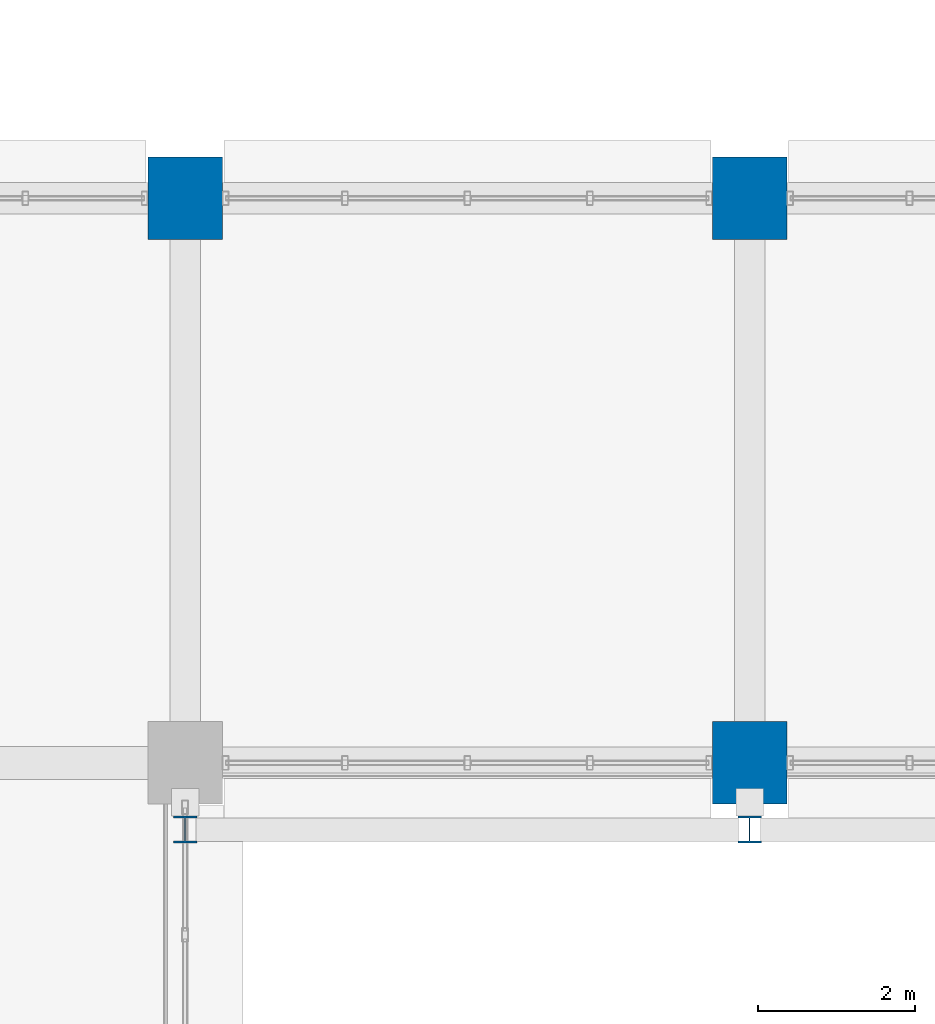
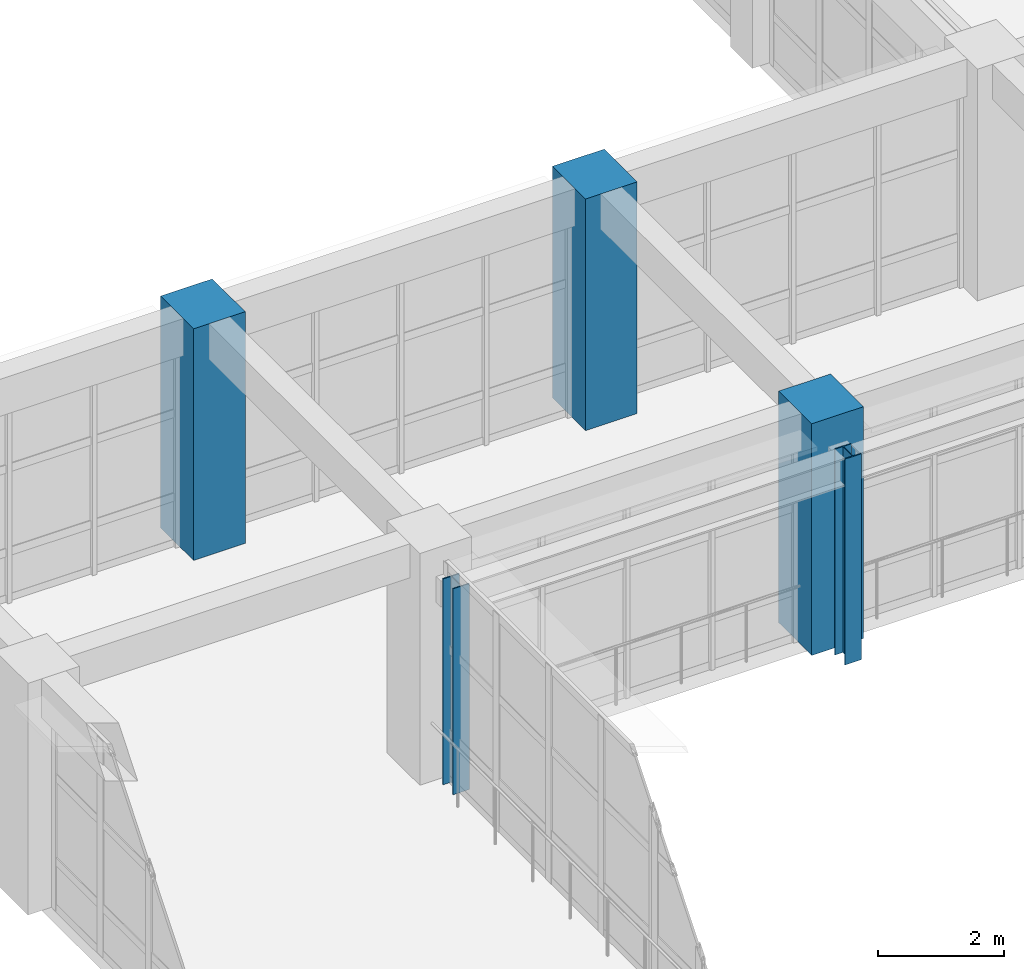
# One storey, part 4 of 171: 5 columns.
"""IFC4 building model written with IfcOpenShell, lengths in metres."""

from ifc_helpers import new_model, si_unit, direction, frame, origin, origin_2d, place, context, subcontext, project, spatial, rectangle, i_section, extrude, material, material_profile, profile_set, type_object, element, save


model = new_model("IFC4")

# Units and contexts
model_context = context("Model", 3, precision=1e-05, world=origin(), true_north=direction((0.0, 1.0)))
body_context = subcontext(model_context, "Body", "Model", "MODEL_VIEW")
ifc_project = project(units=[si_unit("LENGTHUNIT", "METRE"), si_unit("AREAUNIT", "SQUARE_METRE"), si_unit("VOLUMEUNIT", "CUBIC_METRE"), si_unit("PLANEANGLEUNIT", "RADIAN"), si_unit("MASSUNIT", "GRAM", prefix="KILO")], contexts=[model_context])

# Site, building, storey
site_placement = place(None, origin())
site = spatial("IfcSite", under=ifc_project, at=site_placement, CompositionType="ELEMENT")
building_placement = place(site_placement, origin())
building = spatial("IfcBuilding", under=site, at=building_placement, Name="Thalmaran Polytechnic", CompositionType="ELEMENT")
storey_placement = place(building_placement, frame((0.0, 0.0, 5.39990234375)))
storey = spatial("IfcBuildingStorey", under=building, at=storey_placement, Name="L01", CompositionType="ELEMENT", Elevation=5.39990234375)

# Columns
ifc_material_1 = material(Name="Steel S355", Category="steel")
ifc_material_profile_1 = material_profile(ifc_material_1, i_section(OverallWidth=0.300048828125, OverallDepth=0.340087890625, WebThickness=0.011962890625, FlangeThickness=0.021484375, at=origin_2d()), Name="HEB 340")
ifc_profile_set_1 = profile_set([ifc_material_profile_1], Name="Steel S355")
column_type_1 = type_object("IfcColumnType", Name="COL-SC1", PredefinedType="COLUMN", material=ifc_profile_set_1)
for number, where, z_axis, x_axis, name in (
    (1, (115.199951171875, 49.550048828125, 0.0), (0.0, 0.0, 1.0), (1.0, 0.0, 0.0), "Workshop Crane Runway Column L01 (16,7)"),
    (2, (122.39990234375, 49.550048828125, 0.0), (0.0, 0.0, 1.0), (1.0, 0.0, 0.0), "Workshop Crane Runway Column L01 (17,7)"),
):
    element("IfcColumn", number, at=place(storey_placement, frame(where, z_axis=z_axis, x_axis=x_axis)), inside=storey, type_object=column_type_1, Name=name, PredefinedType="COLUMN", context=body_context, shape_type="SweptSolid", body=[
        extrude(i_section(OverallWidth=0.300048828125, OverallDepth=0.340087890625, WebThickness=0.011962890625, FlangeThickness=0.021484375, at=origin_2d()), origin(), (0.0, 0.0, 1.0), 4.0),
    ])
ifc_material_2 = material(Name="Concrete C50/60", Category="concrete")
ifc_material_profile_2 = material_profile(ifc_material_2, rectangle(XDim=0.949951171875, YDim=1.050048828125, at=origin_2d()), Name="RC 950x1050")
ifc_profile_set_2 = profile_set([ifc_material_profile_2], Name="Concrete C50/60")
column_type_2 = type_object("IfcColumnType", Name="COL-WP2", PredefinedType="COLUMN", material=ifc_profile_set_2)
for number, where, z_axis, x_axis, name in (
    (3, (115.199951171875, 57.60009765625, 0.0), (0.0, 0.0, 1.0), (1.0, 0.0, 0.0), "Column WP2 L01 (16,8)"),
    (4, (122.39990234375, 50.39990234375, 0.0), (0.0, 0.0, 1.0), (1.0, 0.0, 0.0), "Column WP2 L01 (17,7)"),
    (5, (122.39990234375, 57.60009765625, 0.0), (0.0, 0.0, 1.0), (1.0, 0.0, 0.0), "Column WP2 L01 (17,8)"),
):
    element("IfcColumn", number, at=place(storey_placement, frame(where, z_axis=z_axis, x_axis=x_axis)), inside=storey, type_object=column_type_2, Name=name, PredefinedType="COLUMN", context=body_context, shape_type="SweptSolid", body=[
        extrude(rectangle(XDim=0.949951171875, YDim=1.050048828125, at=origin_2d()), origin(), (0.0, 0.0, 1.0), 4.5),
    ])

save(model, "model.ifc")
